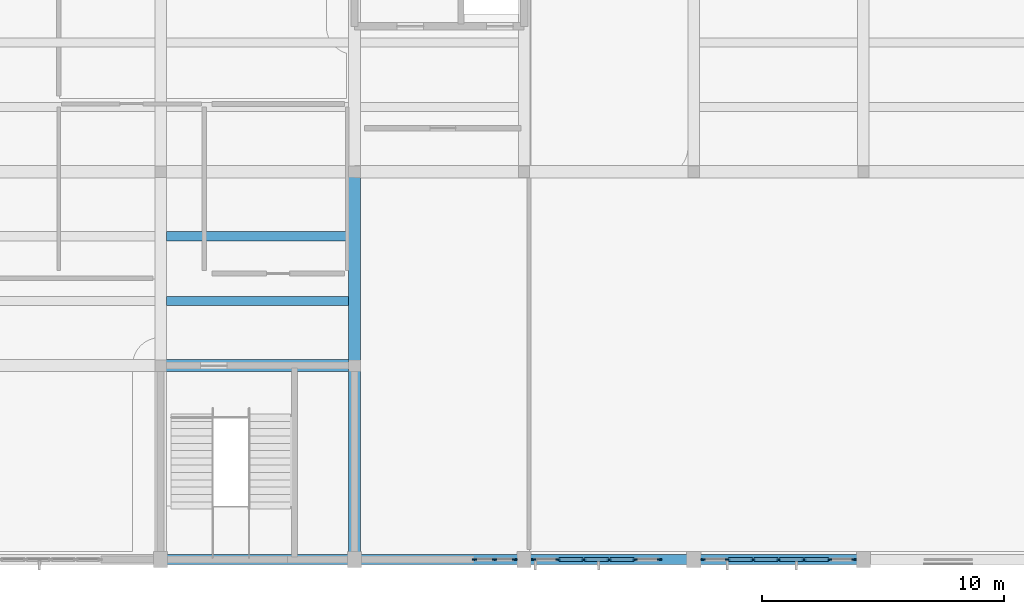
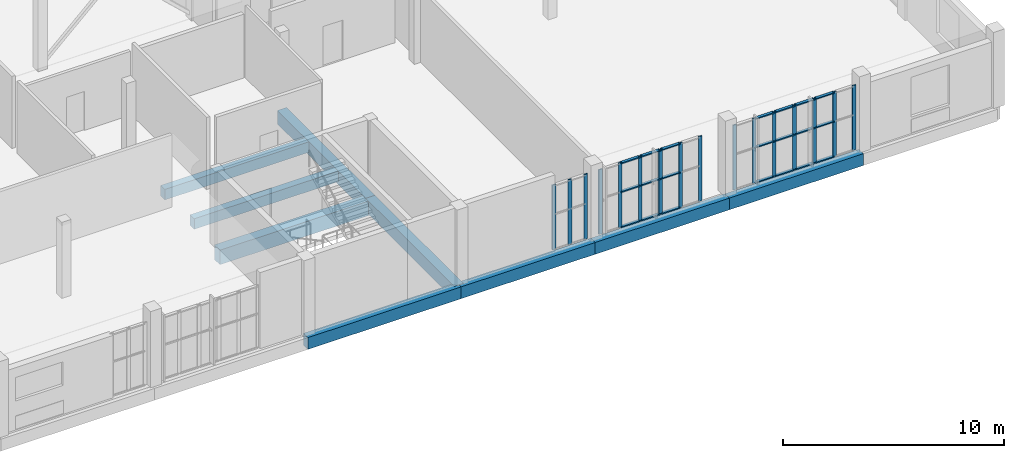
# One storey, part 31 of 70: 37 members, 9 beams, 3 elements without a shape of their own.
"""IFC4 building model written with IfcOpenShell, lengths in metres."""

from ifc_helpers import new_model, si_unit, direction, frame, origin, origin_2d, place, context, subcontext, project, spatial, rectangle, extrude, material, layer, layer_set, material_profile, profile_set, type_object, element, aggregate, save


model = new_model("IFC4")

# Units and contexts
model_context = context("Model", 3, precision=1e-05, world=origin(), true_north=direction((0.0, 1.0)))
body_context = subcontext(model_context, "Body", "Model", "MODEL_VIEW")
ifc_project = project(units=[si_unit("LENGTHUNIT", "METRE"), si_unit("AREAUNIT", "SQUARE_METRE"), si_unit("VOLUMEUNIT", "CUBIC_METRE"), si_unit("PLANEANGLEUNIT", "RADIAN"), si_unit("MASSUNIT", "GRAM", prefix="KILO")], contexts=[model_context])

# Site, building, storey
site_placement = place(None, origin())
site = spatial("IfcSite", under=ifc_project, at=site_placement, CompositionType="ELEMENT")
building_placement = place(site_placement, origin())
building = spatial("IfcBuilding", under=site, at=building_placement, Name="Solvane Community Centre", CompositionType="ELEMENT")
storey_placement = place(building_placement, frame((0.0, 0.0, 9.60009765625)))
storey = spatial("IfcBuildingStorey", under=building, at=storey_placement, Name="L02", CompositionType="ELEMENT", Elevation=9.60009765625)

# Curtain wall, members
ifc_material_1 = material(Name="Anodised bronze aluminium AW-6063 T6", Category="aluminium")
ifc_layer_1 = layer(ifc_material_1, 0.18994140625)
ifc_layer_set_1 = layer_set([ifc_layer_1], Name="Anodised bronze aluminium AW-6063 T6")
curtain_wall_type_1 = type_object("IfcCurtainWallType", Name="Boulevard Bronze Vision Curtain Wall [63x36dm]", PredefinedType="NOTDEFINED", material=ifc_layer_set_1)
curtain_wall_1_placement = place(storey_placement, origin())
curtain_wall_1 = element("IfcCurtainWall", 1, at=curtain_wall_1_placement, inside=storey, type_object=curtain_wall_type_1, Name="Curtain Wall CW-L02-1606_60-184", PredefinedType="NOTDEFINED")
ifc_material_profile_1 = material_profile(ifc_material_1, rectangle(XDim=0.06005859375, YDim=0.18994140625, at=origin_2d()), Name="CW-M 60x190")
ifc_profile_set_1 = profile_set([ifc_material_profile_1], Name="Anodised bronze aluminium AW-6063 T6")
member_type_1 = type_object("IfcMemberType", Name="Boulevard Mullion 60x190", PredefinedType="MULLION", material=ifc_profile_set_1)
member_1_placement = place(storey_placement, frame((160.614990234375, 6.0, 0.0), z_axis=(0.0, 0.0, 1.0), x_axis=(0.0, -1.0, 0.0)))
member_1 = element("IfcMember", 2, at=member_1_placement, type_object=member_type_1, Name="CW02-63x36 mullion 1", PredefinedType="MULLION", context=body_context, shape_type="SweptSolid", body=[
    extrude(rectangle(XDim=0.06005859375, YDim=0.18994140625, at=origin_2d()), origin(), (0.0, 0.0, 1.0), 3.579833984375),
])
member_2_placement = place(storey_placement, frame((159.5966796875, 6.0, 0.0), z_axis=(0.0, 0.0, 1.0), x_axis=(0.0, -1.0, 0.0)))
member_2 = element("IfcMember", 3, at=member_2_placement, type_object=member_type_1, Name="CW02-63x36 mullion 2", PredefinedType="MULLION", context=body_context, shape_type="SweptSolid", body=[
    extrude(rectangle(XDim=0.06005859375, YDim=0.18994140625, at=origin_2d()), origin(), (0.0, 0.0, 1.0), 3.579833984375),
])
member_3_placement = place(storey_placement, frame((158.54833984375, 6.0, 0.0), z_axis=(0.0, 0.0, 1.0), x_axis=(0.0, -1.0, 0.0)))
member_3 = element("IfcMember", 4, at=member_3_placement, type_object=member_type_1, Name="CW02-63x36 mullion 3", PredefinedType="MULLION", context=body_context, shape_type="SweptSolid", body=[
    extrude(rectangle(XDim=0.06005859375, YDim=0.18994140625, at=origin_2d()), origin(), (0.0, 0.0, 1.0), 3.579833984375),
])
member_4_placement = place(storey_placement, frame((157.5, 6.0, 0.0), z_axis=(0.0, 0.0, 1.0), x_axis=(0.0, -1.0, 0.0)))
member_4 = element("IfcMember", 5, at=member_4_placement, type_object=member_type_1, Name="CW02-63x36 mullion 4", PredefinedType="MULLION", context=body_context, shape_type="SweptSolid", body=[
    extrude(rectangle(XDim=0.06005859375, YDim=0.18994140625, at=origin_2d()), origin(), (0.0, 0.0, 1.0), 3.579833984375),
])
member_5_placement = place(storey_placement, frame((156.45166015625, 6.0, 0.0), z_axis=(0.0, 0.0, 1.0), x_axis=(0.0, -1.0, 0.0)))
member_5 = element("IfcMember", 6, at=member_5_placement, type_object=member_type_1, Name="CW02-63x36 mullion 5", PredefinedType="MULLION", context=body_context, shape_type="SweptSolid", body=[
    extrude(rectangle(XDim=0.06005859375, YDim=0.18994140625, at=origin_2d()), origin(), (0.0, 0.0, 1.0), 3.579833984375),
])
member_6_placement = place(storey_placement, frame((155.4033203125, 6.0, 0.0), z_axis=(0.0, 0.0, 1.0), x_axis=(0.0, -1.0, 0.0)))
member_6 = element("IfcMember", 7, at=member_6_placement, type_object=member_type_1, Name="CW02-63x36 mullion 6", PredefinedType="MULLION", context=body_context, shape_type="SweptSolid", body=[
    extrude(rectangle(XDim=0.06005859375, YDim=0.18994140625, at=origin_2d()), origin(), (0.0, 0.0, 1.0), 3.579833984375),
])
member_7_placement = place(storey_placement, frame((154.385009765625, 6.0, 0.0), z_axis=(0.0, 0.0, 1.0), x_axis=(0.0, -1.0, 0.0)))
member_7 = element("IfcMember", 8, at=member_7_placement, type_object=member_type_1, Name="CW02-63x36 mullion 7", PredefinedType="MULLION", context=body_context, shape_type="SweptSolid", body=[
    extrude(rectangle(XDim=0.06005859375, YDim=0.18994140625, at=origin_2d()), origin(), (0.0, 0.0, 1.0), 3.579833984375),
])

ifc_layer_2 = layer(ifc_material_1, 0.18994140625)
ifc_layer_set_2 = layer_set([ifc_layer_2], Name="Anodised bronze aluminium AW-6063 T6")
curtain_wall_type_2 = type_object("IfcCurtainWallType", Name="Boulevard Bronze Vision Curtain Wall [53x36dm]", PredefinedType="NOTDEFINED", material=ifc_layer_set_2)
curtain_wall_2_placement = place(storey_placement, origin())
curtain_wall_2 = element("IfcCurtainWall", 9, at=curtain_wall_2_placement, inside=storey, type_object=curtain_wall_type_2, Name="Curtain Wall CW-L02-1526_60-185", PredefinedType="NOTDEFINED")
member_8_placement = place(storey_placement, frame((152.58544921875, 6.0, 0.0), z_axis=(0.0, 0.0, 1.0), x_axis=(0.0, -1.0, 0.0)))
member_8 = element("IfcMember", 10, at=member_8_placement, type_object=member_type_1, Name="CW02-53x36 mullion 1", PredefinedType="MULLION", context=body_context, shape_type="SweptSolid", body=[
    extrude(rectangle(XDim=0.06005859375, YDim=0.18994140625, at=origin_2d()), origin(), (0.0, 0.0, 1.0), 3.579833984375),
])
member_9_placement = place(storey_placement, frame((151.563232421875, 6.0, 0.0), z_axis=(0.0, 0.0, 1.0), x_axis=(0.0, -1.0, 0.0)))
member_9 = element("IfcMember", 11, at=member_9_placement, type_object=member_type_1, Name="CW02-53x36 mullion 2", PredefinedType="MULLION", context=body_context, shape_type="SweptSolid", body=[
    extrude(rectangle(XDim=0.06005859375, YDim=0.18994140625, at=origin_2d()), origin(), (0.0, 0.0, 1.0), 3.579833984375),
])
member_10_placement = place(storey_placement, frame((150.51123046875, 6.0, 0.0), z_axis=(0.0, 0.0, 1.0), x_axis=(0.0, -1.0, 0.0)))
member_10 = element("IfcMember", 12, at=member_10_placement, type_object=member_type_1, Name="CW02-53x36 mullion 3", PredefinedType="MULLION", context=body_context, shape_type="SweptSolid", body=[
    extrude(rectangle(XDim=0.06005859375, YDim=0.18994140625, at=origin_2d()), origin(), (0.0, 0.0, 1.0), 3.579833984375),
])
member_11_placement = place(storey_placement, frame((149.459228515625, 6.0, 0.0), z_axis=(0.0, 0.0, 1.0), x_axis=(0.0, -1.0, 0.0)))
member_11 = element("IfcMember", 13, at=member_11_placement, type_object=member_type_1, Name="CW02-53x36 mullion 4", PredefinedType="MULLION", context=body_context, shape_type="SweptSolid", body=[
    extrude(rectangle(XDim=0.06005859375, YDim=0.18994140625, at=origin_2d()), origin(), (0.0, 0.0, 1.0), 3.579833984375),
])
member_12_placement = place(storey_placement, frame((148.406982421875, 6.0, 0.0), z_axis=(0.0, 0.0, 1.0), x_axis=(0.0, -1.0, 0.0)))
member_12 = element("IfcMember", 14, at=member_12_placement, type_object=member_type_1, Name="CW02-53x36 mullion 5", PredefinedType="MULLION", context=body_context, shape_type="SweptSolid", body=[
    extrude(rectangle(XDim=0.06005859375, YDim=0.18994140625, at=origin_2d()), origin(), (0.0, 0.0, 1.0), 3.579833984375),
])
member_13_placement = place(storey_placement, frame((147.385009765625, 6.0, 0.0), z_axis=(0.0, 0.0, 1.0), x_axis=(0.0, -1.0, 0.0)))
member_13 = element("IfcMember", 15, at=member_13_placement, type_object=member_type_1, Name="CW02-53x36 mullion 6", PredefinedType="MULLION", context=body_context, shape_type="SweptSolid", body=[
    extrude(rectangle(XDim=0.06005859375, YDim=0.18994140625, at=origin_2d()), origin(), (0.0, 0.0, 1.0), 3.579833984375),
])

ifc_layer_3 = layer(ifc_material_1, 0.18994140625)
ifc_layer_set_3 = layer_set([ifc_layer_3], Name="Anodised bronze aluminium AW-6063 T6")
curtain_wall_type_3 = type_object("IfcCurtainWallType", Name="Boulevard Bronze Vision Curtain Wall [17x36dm]", PredefinedType="NOTDEFINED", material=ifc_layer_set_3)
curtain_wall_3_placement = place(storey_placement, origin())
curtain_wall_3 = element("IfcCurtainWall", 16, at=curtain_wall_3_placement, inside=storey, type_object=curtain_wall_type_3, Name="Curtain Wall CW-L02-1466_60-186", PredefinedType="NOTDEFINED")
member_14_placement = place(storey_placement, frame((146.614990234375, 6.0, 0.0), z_axis=(0.0, 0.0, 1.0), x_axis=(0.0, -1.0, 0.0)))
member_14 = element("IfcMember", 17, at=member_14_placement, type_object=member_type_1, Name="CW02-17x36 mullion 1", PredefinedType="MULLION", context=body_context, shape_type="SweptSolid", body=[
    extrude(rectangle(XDim=0.06005859375, YDim=0.18994140625, at=origin_2d()), origin(), (0.0, 0.0, 1.0), 3.579833984375),
])
member_15_placement = place(storey_placement, frame((145.783935546875, 6.0, 0.0), z_axis=(0.0, 0.0, 1.0), x_axis=(0.0, -1.0, 0.0)))
member_15 = element("IfcMember", 18, at=member_15_placement, type_object=member_type_1, Name="CW02-17x36 mullion 2", PredefinedType="MULLION", context=body_context, shape_type="SweptSolid", body=[
    extrude(rectangle(XDim=0.06005859375, YDim=0.18994140625, at=origin_2d()), origin(), (0.0, 0.0, 1.0), 3.579833984375),
])
member_16_placement = place(storey_placement, frame((144.953125, 6.0, 0.0), z_axis=(0.0, 0.0, 1.0), x_axis=(0.0, -1.0, 0.0)))
member_16 = element("IfcMember", 19, at=member_16_placement, type_object=member_type_1, Name="CW02-17x36 mullion 3", PredefinedType="MULLION", context=body_context, shape_type="SweptSolid", body=[
    extrude(rectangle(XDim=0.06005859375, YDim=0.18994140625, at=origin_2d()), origin(), (0.0, 0.0, 1.0), 3.579833984375),
])
aggregate(curtain_wall_3, [member_14, member_15, member_16])

# Member
ifc_material_profile_2 = material_profile(ifc_material_1, rectangle(XDim=0.14990234375, YDim=0.06005859375, at=origin_2d()), Name="CW-T 60x150")
ifc_profile_set_2 = profile_set([ifc_material_profile_2], Name="Anodised bronze aluminium AW-6063 T6")
member_type_2 = type_object("IfcMemberType", Name="Boulevard Transom 60x150", PredefinedType="USERDEFINED", material=ifc_profile_set_2)
member_17_placement = place(storey_placement, frame((159.566650390625, 6.0, 0.02978515625), z_axis=(-1.0, 0.0, 0.0), x_axis=(0.0, -1.0, 0.0)))
member_17 = element("IfcMember", 20, at=member_17_placement, type_object=member_type_2, Name="CW02-63x36 transom 2.1", ObjectType="TRANSOM", PredefinedType="USERDEFINED", context=body_context, shape_type="SweptSolid", body=[
    extrude(rectangle(XDim=0.14990234375, YDim=0.06005859375, at=origin_2d()), origin(), (0.0, 0.0, 1.0), 0.98828125),
])

member_18_placement = place(storey_placement, frame((159.566650390625, 6.0, 1.968994140625), z_axis=(-1.0, 0.0, 0.0), x_axis=(0.0, -1.0, 0.0)))
member_18 = element("IfcMember", 21, at=member_18_placement, type_object=member_type_2, Name="CW02-63x36 transom 2.2", ObjectType="TRANSOM", PredefinedType="USERDEFINED", context=body_context, shape_type="SweptSolid", body=[
    extrude(rectangle(XDim=0.14990234375, YDim=0.06005859375, at=origin_2d()), origin(), (0.0, 0.0, 1.0), 0.98828125),
])

member_19_placement = place(storey_placement, frame((159.566650390625, 6.0, 3.5498046875), z_axis=(-1.0, 0.0, 0.0), x_axis=(0.0, -1.0, 0.0)))
member_19 = element("IfcMember", 22, at=member_19_placement, type_object=member_type_2, Name="CW02-63x36 transom 2.3", ObjectType="TRANSOM", PredefinedType="USERDEFINED", context=body_context, shape_type="SweptSolid", body=[
    extrude(rectangle(XDim=0.14990234375, YDim=0.06005859375, at=origin_2d()), origin(), (0.0, 0.0, 1.0), 0.98828125),
])

member_20_placement = place(storey_placement, frame((158.518310546875, 6.0, 0.02978515625), z_axis=(-1.0, 0.0, 0.0), x_axis=(0.0, -1.0, 0.0)))
member_20 = element("IfcMember", 23, at=member_20_placement, type_object=member_type_2, Name="CW02-63x36 transom 3.1", ObjectType="TRANSOM", PredefinedType="USERDEFINED", context=body_context, shape_type="SweptSolid", body=[
    extrude(rectangle(XDim=0.14990234375, YDim=0.06005859375, at=origin_2d()), origin(), (0.0, 0.0, 1.0), 0.98828125),
])

member_21_placement = place(storey_placement, frame((158.518310546875, 6.0, 1.968994140625), z_axis=(-1.0, 0.0, 0.0), x_axis=(0.0, -1.0, 0.0)))
member_21 = element("IfcMember", 24, at=member_21_placement, type_object=member_type_2, Name="CW02-63x36 transom 3.2", ObjectType="TRANSOM", PredefinedType="USERDEFINED", context=body_context, shape_type="SweptSolid", body=[
    extrude(rectangle(XDim=0.14990234375, YDim=0.06005859375, at=origin_2d()), origin(), (0.0, 0.0, 1.0), 0.98828125),
])

member_22_placement = place(storey_placement, frame((158.518310546875, 6.0, 3.5498046875), z_axis=(-1.0, 0.0, 0.0), x_axis=(0.0, -1.0, 0.0)))
member_22 = element("IfcMember", 25, at=member_22_placement, type_object=member_type_2, Name="CW02-63x36 transom 3.3", ObjectType="TRANSOM", PredefinedType="USERDEFINED", context=body_context, shape_type="SweptSolid", body=[
    extrude(rectangle(XDim=0.14990234375, YDim=0.06005859375, at=origin_2d()), origin(), (0.0, 0.0, 1.0), 0.98828125),
])

member_23_placement = place(storey_placement, frame((157.469970703125, 6.0, 0.02978515625), z_axis=(-1.0, 0.0, 0.0), x_axis=(0.0, -1.0, 0.0)))
member_23 = element("IfcMember", 26, at=member_23_placement, type_object=member_type_2, Name="CW02-63x36 transom 4.1", ObjectType="TRANSOM", PredefinedType="USERDEFINED", context=body_context, shape_type="SweptSolid", body=[
    extrude(rectangle(XDim=0.14990234375, YDim=0.06005859375, at=origin_2d()), origin(), (0.0, 0.0, 1.0), 0.98828125),
])

member_24_placement = place(storey_placement, frame((157.469970703125, 6.0, 1.968994140625), z_axis=(-1.0, 0.0, 0.0), x_axis=(0.0, -1.0, 0.0)))
member_24 = element("IfcMember", 27, at=member_24_placement, type_object=member_type_2, Name="CW02-63x36 transom 4.2", ObjectType="TRANSOM", PredefinedType="USERDEFINED", context=body_context, shape_type="SweptSolid", body=[
    extrude(rectangle(XDim=0.14990234375, YDim=0.06005859375, at=origin_2d()), origin(), (0.0, 0.0, 1.0), 0.98828125),
])

member_25_placement = place(storey_placement, frame((157.469970703125, 6.0, 3.5498046875), z_axis=(-1.0, 0.0, 0.0), x_axis=(0.0, -1.0, 0.0)))
member_25 = element("IfcMember", 28, at=member_25_placement, type_object=member_type_2, Name="CW02-63x36 transom 4.3", ObjectType="TRANSOM", PredefinedType="USERDEFINED", context=body_context, shape_type="SweptSolid", body=[
    extrude(rectangle(XDim=0.14990234375, YDim=0.06005859375, at=origin_2d()), origin(), (0.0, 0.0, 1.0), 0.98828125),
])

member_26_placement = place(storey_placement, frame((156.421630859375, 6.0, 0.02978515625), z_axis=(-1.0, 0.0, 0.0), x_axis=(0.0, -1.0, 0.0)))
member_26 = element("IfcMember", 29, at=member_26_placement, type_object=member_type_2, Name="CW02-63x36 transom 5.1", ObjectType="TRANSOM", PredefinedType="USERDEFINED", context=body_context, shape_type="SweptSolid", body=[
    extrude(rectangle(XDim=0.14990234375, YDim=0.06005859375, at=origin_2d()), origin(), (0.0, 0.0, 1.0), 0.98828125),
])

member_27_placement = place(storey_placement, frame((156.421630859375, 6.0, 1.968994140625), z_axis=(-1.0, 0.0, 0.0), x_axis=(0.0, -1.0, 0.0)))
member_27 = element("IfcMember", 30, at=member_27_placement, type_object=member_type_2, Name="CW02-63x36 transom 5.2", ObjectType="TRANSOM", PredefinedType="USERDEFINED", context=body_context, shape_type="SweptSolid", body=[
    extrude(rectangle(XDim=0.14990234375, YDim=0.06005859375, at=origin_2d()), origin(), (0.0, 0.0, 1.0), 0.98828125),
])

member_28_placement = place(storey_placement, frame((156.421630859375, 6.0, 3.5498046875), z_axis=(-1.0, 0.0, 0.0), x_axis=(0.0, -1.0, 0.0)))
member_28 = element("IfcMember", 31, at=member_28_placement, type_object=member_type_2, Name="CW02-63x36 transom 5.3", ObjectType="TRANSOM", PredefinedType="USERDEFINED", context=body_context, shape_type="SweptSolid", body=[
    extrude(rectangle(XDim=0.14990234375, YDim=0.06005859375, at=origin_2d()), origin(), (0.0, 0.0, 1.0), 0.98828125),
])

aggregate(curtain_wall_1, [member_1, member_2, member_3, member_4, member_5, member_6, member_7, member_17, member_18, member_19, member_20, member_21, member_22, member_23, member_24, member_25, member_26, member_27, member_28])

member_29_placement = place(storey_placement, frame((151.533203125, 6.0, 0.02978515625), z_axis=(-1.0, 0.0, 0.0), x_axis=(0.0, -1.0, 0.0)))
member_29 = element("IfcMember", 32, at=member_29_placement, type_object=member_type_2, Name="CW02-53x36 transom 2.1", ObjectType="TRANSOM", PredefinedType="USERDEFINED", context=body_context, shape_type="SweptSolid", body=[
    extrude(rectangle(XDim=0.14990234375, YDim=0.06005859375, at=origin_2d()), origin(), (0.0, 0.0, 1.0), 0.991943359375),
])

member_30_placement = place(storey_placement, frame((151.533203125, 6.0, 1.968994140625), z_axis=(-1.0, 0.0, 0.0), x_axis=(0.0, -1.0, 0.0)))
member_30 = element("IfcMember", 33, at=member_30_placement, type_object=member_type_2, Name="CW02-53x36 transom 2.2", ObjectType="TRANSOM", PredefinedType="USERDEFINED", context=body_context, shape_type="SweptSolid", body=[
    extrude(rectangle(XDim=0.14990234375, YDim=0.06005859375, at=origin_2d()), origin(), (0.0, 0.0, 1.0), 0.991943359375),
])

member_31_placement = place(storey_placement, frame((151.533203125, 6.0, 3.5498046875), z_axis=(-1.0, 0.0, 0.0), x_axis=(0.0, -1.0, 0.0)))
member_31 = element("IfcMember", 34, at=member_31_placement, type_object=member_type_2, Name="CW02-53x36 transom 2.3", ObjectType="TRANSOM", PredefinedType="USERDEFINED", context=body_context, shape_type="SweptSolid", body=[
    extrude(rectangle(XDim=0.14990234375, YDim=0.06005859375, at=origin_2d()), origin(), (0.0, 0.0, 1.0), 0.991943359375),
])

member_32_placement = place(storey_placement, frame((150.481201171875, 6.0, 0.02978515625), z_axis=(-1.0, 0.0, 0.0), x_axis=(0.0, -1.0, 0.0)))
member_32 = element("IfcMember", 35, at=member_32_placement, type_object=member_type_2, Name="CW02-53x36 transom 3.1", ObjectType="TRANSOM", PredefinedType="USERDEFINED", context=body_context, shape_type="SweptSolid", body=[
    extrude(rectangle(XDim=0.14990234375, YDim=0.06005859375, at=origin_2d()), origin(), (0.0, 0.0, 1.0), 0.991943359375),
])

member_33_placement = place(storey_placement, frame((150.481201171875, 6.0, 1.968994140625), z_axis=(-1.0, 0.0, 0.0), x_axis=(0.0, -1.0, 0.0)))
member_33 = element("IfcMember", 36, at=member_33_placement, type_object=member_type_2, Name="CW02-53x36 transom 3.2", ObjectType="TRANSOM", PredefinedType="USERDEFINED", context=body_context, shape_type="SweptSolid", body=[
    extrude(rectangle(XDim=0.14990234375, YDim=0.06005859375, at=origin_2d()), origin(), (0.0, 0.0, 1.0), 0.991943359375),
])

member_34_placement = place(storey_placement, frame((150.481201171875, 6.0, 3.5498046875), z_axis=(-1.0, 0.0, 0.0), x_axis=(0.0, -1.0, 0.0)))
member_34 = element("IfcMember", 37, at=member_34_placement, type_object=member_type_2, Name="CW02-53x36 transom 3.3", ObjectType="TRANSOM", PredefinedType="USERDEFINED", context=body_context, shape_type="SweptSolid", body=[
    extrude(rectangle(XDim=0.14990234375, YDim=0.06005859375, at=origin_2d()), origin(), (0.0, 0.0, 1.0), 0.991943359375),
])

member_35_placement = place(storey_placement, frame((149.42919921875, 6.0, 0.02978515625), z_axis=(-1.0, 0.0, 0.0), x_axis=(0.0, -1.0, 0.0)))
member_35 = element("IfcMember", 38, at=member_35_placement, type_object=member_type_2, Name="CW02-53x36 transom 4.1", ObjectType="TRANSOM", PredefinedType="USERDEFINED", context=body_context, shape_type="SweptSolid", body=[
    extrude(rectangle(XDim=0.14990234375, YDim=0.06005859375, at=origin_2d()), origin(), (0.0, 0.0, 1.0), 0.9921875),
])

member_36_placement = place(storey_placement, frame((149.42919921875, 6.0, 1.968994140625), z_axis=(-1.0, 0.0, 0.0), x_axis=(0.0, -1.0, 0.0)))
member_36 = element("IfcMember", 39, at=member_36_placement, type_object=member_type_2, Name="CW02-53x36 transom 4.2", ObjectType="TRANSOM", PredefinedType="USERDEFINED", context=body_context, shape_type="SweptSolid", body=[
    extrude(rectangle(XDim=0.14990234375, YDim=0.06005859375, at=origin_2d()), origin(), (0.0, 0.0, 1.0), 0.9921875),
])

member_37_placement = place(storey_placement, frame((149.42919921875, 6.0, 3.5498046875), z_axis=(-1.0, 0.0, 0.0), x_axis=(0.0, -1.0, 0.0)))
member_37 = element("IfcMember", 40, at=member_37_placement, type_object=member_type_2, Name="CW02-53x36 transom 4.3", ObjectType="TRANSOM", PredefinedType="USERDEFINED", context=body_context, shape_type="SweptSolid", body=[
    extrude(rectangle(XDim=0.14990234375, YDim=0.06005859375, at=origin_2d()), origin(), (0.0, 0.0, 1.0), 0.9921875),
])

aggregate(curtain_wall_2, [member_8, member_9, member_10, member_11, member_12, member_13, member_29, member_30, member_31, member_32, member_33, member_34, member_35, member_36, member_37])

# Beams
ifc_material_2 = material(Name="Concrete C35/45", Category="concrete")
ifc_material_profile_3 = material_profile(ifc_material_2, rectangle(XDim=0.47998046875, YDim=0.739990234375, at=origin_2d()), Name="RC 480x740")
ifc_profile_set_3 = profile_set([ifc_material_profile_3], Name="Concrete C35/45")
beam_type_1 = type_object("IfcBeamType", Name="RC Bay Beam 480x740", PredefinedType="BEAM", material=ifc_profile_set_3)
for number, where, z_axis, x_axis, name in (
    (41, (140.0, 6.0, -0.590087890625), (0.0, 1.0, 0.0), (-1.0, 0.0, 0.0), "Beam BM-L02-1400_60-1400_140"),
    (42, (140.0, 14.0, -0.590087890625), (0.0, 1.0, 0.0), (-1.0, 0.0, 0.0), "Beam BM-L02-1400_140-1400_220"),
):
    element("IfcBeam", number, at=place(storey_placement, frame(where, z_axis=z_axis, x_axis=x_axis)), inside=storey, type_object=beam_type_1, Name=name, PredefinedType="BEAM", context=body_context, shape_type="SweptSolid", body=[
        extrude(rectangle(XDim=0.47998046875, YDim=0.739990234375, at=origin_2d()), origin(), (0.0, 0.0, 1.0), 8.0),
    ])
ifc_material_profile_4 = material_profile(ifc_material_2, rectangle(XDim=0.5, YDim=0.800048828125, at=origin_2d()), Name="RC 500x800")
ifc_profile_set_4 = profile_set([ifc_material_profile_4], Name="Concrete C35/45")
beam_type_2 = type_object("IfcBeamType", Name="RC Primary Girder 500x800", PredefinedType="USERDEFINED", material=ifc_profile_set_4)
beam_1_placement = place(storey_placement, frame((132.0, 14.0, -0.6201171875), z_axis=(1.0, 0.0, 0.0), x_axis=(0.0, 1.0, 0.0)))
element("IfcBeam", 43, at=beam_1_placement, inside=storey, type_object=beam_type_2, Name="Beam BM-L02-1320_140-1400_140", ObjectType="GIRDER", PredefinedType="USERDEFINED", context=body_context, shape_type="SweptSolid", body=[
    extrude(rectangle(XDim=0.5, YDim=0.800048828125, at=origin_2d()), origin(), (0.0, 0.0, 1.0), 8.0),
])
ifc_material_profile_5 = material_profile(ifc_material_2, rectangle(XDim=0.3798828125, YDim=0.580078125, at=origin_2d()), Name="RC 380x580")
ifc_profile_set_5 = profile_set([ifc_material_profile_5], Name="Concrete C35/45")
beam_type_3 = type_object("IfcBeamType", Name="RC Short Joist 380x580", PredefinedType="JOIST", material=ifc_profile_set_5)
for number, where, z_axis, x_axis, name in (
    (44, (132.239990234375, 16.666748046875, -0.510009765625), (1.0, 0.0, 0.0), (0.0, 1.0, 0.0), "Beam BM-L02-1322_167-1398_167"),
    (45, (132.239990234375, 19.333251953125, -0.510009765625), (1.0, 0.0, 0.0), (0.0, 1.0, 0.0), "Beam BM-L02-1322_193-1398_193"),
):
    element("IfcBeam", number, at=place(storey_placement, frame(where, z_axis=z_axis, x_axis=x_axis)), inside=storey, type_object=beam_type_3, Name=name, PredefinedType="JOIST", context=body_context, shape_type="SweptSolid", body=[
        extrude(rectangle(XDim=0.3798828125, YDim=0.580078125, at=origin_2d()), origin(), (0.0, 0.0, 1.0), 7.52001953125),
    ])
ifc_material_profile_6 = material_profile(ifc_material_2, rectangle(XDim=0.39990234375, YDim=0.64990234375, at=origin_2d()), Name="RC 400x650")
ifc_profile_set_6 = profile_set([ifc_material_profile_6], Name="Concrete C35/45")
beam_type_4 = type_object("IfcBeamType", Name="RC Spandrel Edge Beam 400x650", PredefinedType="SPANDREL", material=ifc_profile_set_6)
beam_2_placement = place(storey_placement, frame((132.0, 6.0, -0.545166015625), z_axis=(1.0, 0.0, 0.0), x_axis=(0.0, 1.0, 0.0)))
element("IfcBeam", 46, at=beam_2_placement, inside=storey, type_object=beam_type_4, Name="Beam BM-L02-1320_60-1400_60", PredefinedType="SPANDREL", context=body_context, shape_type="SweptSolid", body=[
    extrude(rectangle(XDim=0.39990234375, YDim=0.64990234375, at=origin_2d()), origin(), (0.0, 0.0, 1.0), 8.0),
])
for number, where, z_axis, x_axis, name in (
    (47, (140.0, 6.0, -0.545166015625), (1.0, 0.0, 0.0), (0.0, 1.0, 0.0), "Beam BM-L02-1400_60-1470_60"),
    (48, (147.0, 6.0, -0.545166015625), (1.0, 0.0, 0.0), (0.0, 1.0, 0.0), "Beam BM-L02-1470_60-1540_60"),
    (49, (154.0, 6.0, -0.545166015625), (1.0, 0.0, 0.0), (0.0, 1.0, 0.0), "Beam BM-L02-1540_60-1610_60"),
):
    element("IfcBeam", number, at=place(storey_placement, frame(where, z_axis=z_axis, x_axis=x_axis)), inside=storey, type_object=beam_type_4, Name=name, PredefinedType="SPANDREL", context=body_context, shape_type="SweptSolid", body=[
        extrude(rectangle(XDim=0.39990234375, YDim=0.64990234375, at=origin_2d()), origin(), (0.0, 0.0, 1.0), 7.0),
    ])

save(model, "model.ifc")
